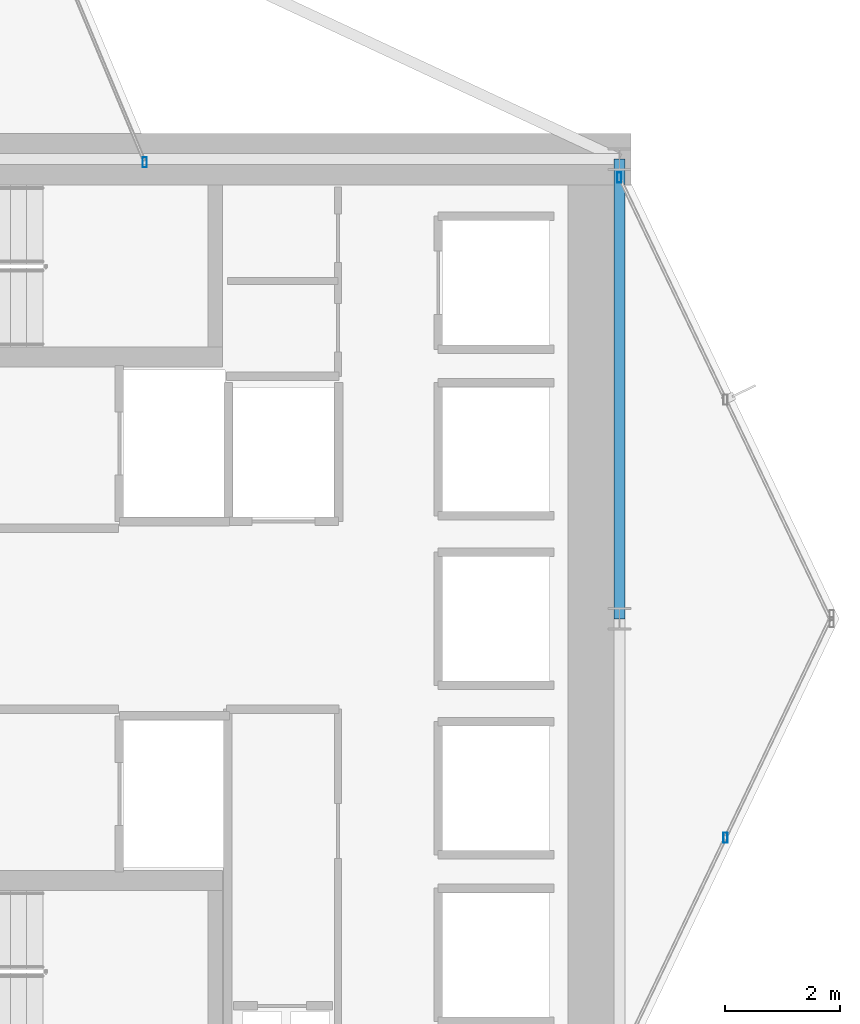
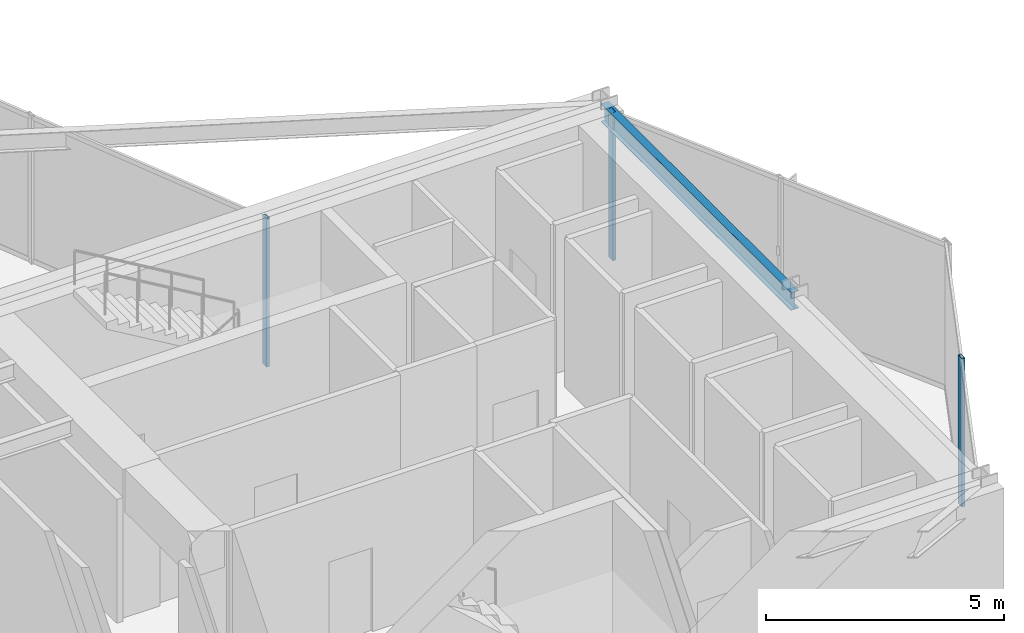
# One storey, part 14 of 25: 3 members, 1 beam, 3 elements without a shape of their own.
"""IFC4 building model written with IfcOpenShell, lengths in metres."""

import ifcopenshell
import ifcopenshell.guid

model = None  # the IFC model being written
_history = None  # IfcOwnerHistory: only IFC2X3 demands one
_inside = {}  # id of a spatial element -> (the spatial element, [elements in it])
_under = {}  # id of a project, library or spatial element -> (it, [spatial elements below it])
_declared = {}  # id of a project -> (the project, [libraries it declares])
_typed = {}  # id of a type object -> (the type object, [elements of that type])
_made_of = {}  # id of a material, layer set ... -> (it, [elements and type objects made of it])


def new_model(schema):
    """Start an empty IFC model of exactly this schema.

    Asked for "IFC4X3", IfcOpenShell would pick the latest addendum, in which some entities
    have other attributes; the version numbers below select the first issue.
    IFC2X3 requires an IfcOwnerHistory on every rooted entity: one is made here for all.
    """
    global model, _history
    if schema == "IFC4X3":
        model = ifcopenshell.file(schema_version=(4, 3, 0, 0))
    else:
        model = ifcopenshell.file(schema=schema)
    _inside.clear()
    _under.clear()
    _declared.clear()
    _typed.clear()
    _made_of.clear()
    _history = None
    if model.schema == "IFC2X3":
        org = make("IfcOrganization", Name="unknown")
        user = make(
            "IfcPersonAndOrganization",
            ThePerson=make("IfcPerson", FamilyName="unknown"),
            TheOrganization=org,
        )
        app = make(
            "IfcApplication",
            ApplicationDeveloper=org,
            Version="unknown",
            ApplicationFullName="unknown",
            ApplicationIdentifier="unknown",
        )
        _history = make(
            "IfcOwnerHistory",
            OwningUser=user,
            OwningApplication=app,
            ChangeAction="ADDED",
            CreationDate=0,
        )
    return model


def make(cls, **values):
    """One entity of the class cls with the attributes given. An attribute that is None is left unset."""
    return model.create_entity(
        cls, **{name: value for name, value in values.items() if value is not None}
    )


def rooted(cls, **values):
    """An entity with a GlobalId (a new one), such as an element, a storey or a relation."""
    return make(cls, GlobalId=ifcopenshell.guid.new(), OwnerHistory=_history, **values)


def si_unit(unit_type, name, prefix=None):
    """IfcSIUnit, for example si_unit("LENGTHUNIT", "METRE", prefix="MILLI")."""
    return make("IfcSIUnit", UnitType=unit_type, Prefix=prefix, Name=name)


def assignment(units):
    """IfcUnitAssignment: the units of a project."""
    return None if units is None else make("IfcUnitAssignment", Units=units)


def point(xyz):
    """IfcCartesianPoint."""
    return None if xyz is None else make("IfcCartesianPoint", Coordinates=xyz)


def direction(xyz):
    """IfcDirection."""
    return None if xyz is None else make("IfcDirection", DirectionRatios=xyz)


def frame(location, z_axis=None, x_axis=None):
    """IfcAxis2Placement3D, a coordinate frame: its origin and axes. An axis left out is left unset."""
    return make(
        "IfcAxis2Placement3D",
        Location=point(location),
        Axis=direction(z_axis),
        RefDirection=direction(x_axis),
    )


def frame_2d(location, x_axis=None):
    """IfcAxis2Placement2D, a coordinate frame in the plane: its origin and x axis."""
    return make(
        "IfcAxis2Placement2D", Location=point(location), RefDirection=direction(x_axis)
    )


def origin():
    """The frame at (0, 0, 0) with its axes left unset."""
    return frame((0.0, 0.0, 0.0))


def origin_2d():
    """The frame at (0, 0) in the plane with its x axis left unset."""
    return frame_2d((0.0, 0.0))


def place(relative_to, where):
    """IfcLocalPlacement: puts the frame where relative to a parent placement (None: the world)."""
    return make(
        "IfcLocalPlacement", PlacementRelTo=relative_to, RelativePlacement=where
    )


def context(
    kind, dimensions, precision=None, world=None, true_north=None, identifier=None
):
    """IfcGeometricRepresentationContext, for example the 3D "Model" context."""
    return make(
        "IfcGeometricRepresentationContext",
        ContextIdentifier=identifier,
        ContextType=kind,
        CoordinateSpaceDimension=dimensions,
        Precision=precision,
        WorldCoordinateSystem=world,
        TrueNorth=true_north,
    )


def subcontext(parent, identifier, kind, view, scale=None):
    """IfcGeometricRepresentationSubContext, for example "Body" below "Model"."""
    return make(
        "IfcGeometricRepresentationSubContext",
        ContextIdentifier=identifier,
        ContextType=kind,
        ParentContext=parent,
        TargetScale=scale,
        TargetView=view,
    )


def project(units=None, contexts=None):
    """IfcProject with its units and contexts."""
    return rooted(
        "IfcProject",
        Name="project",
        RepresentationContexts=contexts,
        UnitsInContext=assignment(units),
    )


def spatial(cls, under=None, at=None, **own):
    """A site, building, storey or space (cls), placed at a placement, below another one or the project."""
    s = rooted(cls, ObjectPlacement=at, **own)
    if under is not None:
        _under.setdefault(under.id(), (under, []))[1].append(s)
    return s


def profile(cls, at=None, kind="AREA", **sizes):
    """A parametric profile (cls). Its sizes go by their IFC names, for example OverallWidth=200.0."""
    return make(cls, ProfileType=kind, Position=at, **sizes)


def hollow_rectangle(**sizes):
    """IfcRectangleHollowProfileDef."""
    return profile("IfcRectangleHollowProfileDef", **sizes)


def i_section(**sizes):
    """IfcIShapeProfileDef."""
    return profile("IfcIShapeProfileDef", **sizes)


def extrude(swept, where, along, depth):
    """IfcExtrudedAreaSolid: the profile swept, set in the frame where, extruded along a direction by depth."""
    return make(
        "IfcExtrudedAreaSolid",
        SweptArea=swept,
        Position=where,
        ExtrudedDirection=direction(along),
        Depth=depth,
    )


def shape(context_of_items, identifier, shape_type, items):
    """IfcShapeRepresentation: the items that make up one representation, for example the "Body"."""
    return make(
        "IfcShapeRepresentation",
        ContextOfItems=context_of_items,
        RepresentationIdentifier=identifier,
        RepresentationType=shape_type,
        Items=items,
    )


def material(Name=None, Category=None):
    """IfcMaterial."""
    return make("IfcMaterial", Name=Name, Category=Category)


def layer(
    of_material, thickness, ventilated=None, Name=None, Category=None, Priority=None
):
    """IfcMaterialLayer: one layer of a wall or slab, of a material (None: an air gap)."""
    return make(
        "IfcMaterialLayer",
        Material=of_material,
        LayerThickness=thickness,
        IsVentilated=ventilated,
        Name=Name,
        Category=Category,
        Priority=Priority,
    )


def layer_set(layers, Name=None):
    """IfcMaterialLayerSet."""
    return make("IfcMaterialLayerSet", MaterialLayers=layers, LayerSetName=Name)


def material_profile(
    of_material, cross_section, Name=None, Category=None, Priority=None
):
    """IfcMaterialProfile: a cross section and its material."""
    return make(
        "IfcMaterialProfile",
        Name=Name,
        Material=of_material,
        Profile=cross_section,
        Priority=Priority,
        Category=Category,
    )


def profile_set(profiles, Name=None, composite=None):
    """IfcMaterialProfileSet."""
    return make(
        "IfcMaterialProfileSet",
        Name=Name,
        MaterialProfiles=profiles,
        CompositeProfile=composite,
    )


def made_of(thing, what):
    """Note that an element or type object is made of a material, layer set ...; save() writes the relation."""
    if what is not None:
        _made_of.setdefault(what.id(), (what, []))[1].append(thing)
    return thing


def type_object(cls, material=None, **own):
    """A type object (cls), such as IfcWallType, which elements share."""
    return made_of(rooted(cls, **own), material)


def element(
    cls,
    number,
    at=None,
    inside=None,
    cuts=None,
    type_object=None,
    material=None,
    context=None,
    identifier="Body",
    shape_type=None,
    held_by="IfcProductDefinitionShape",
    body=None,
    shapes=None,
    **own,
):
    """One element of the class cls, such as IfcWall. Its Tag is "e" and its number.

    at: its placement. inside: the storey or other place that contains it. cuts: it is an
    opening in that element (IfcRelVoidsElement). A single representation is given by context,
    identifier, shape_type and body (its items); several are given by shapes. held_by: the class
    of the entity that holds the representations. save() writes the other relations.
    """
    e = rooted(cls, Tag="e%d" % number, ObjectPlacement=at, **own)
    if body is not None:
        shapes = [shape(context, identifier, shape_type, body)]
    if shapes is not None:
        e.Representation = make(held_by, Representations=shapes)
    if inside is not None:
        _inside.setdefault(inside.id(), (inside, []))[1].append(e)
    if cuts is not None:
        rooted(
            "IfcRelVoidsElement", RelatingBuildingElement=cuts, RelatedOpeningElement=e
        )
    if type_object is not None:
        _typed.setdefault(type_object.id(), (type_object, []))[1].append(e)
    return made_of(e, material)


def aggregate(whole, parts):
    """IfcRelAggregates: a whole, such as a stair, and the parts it consists of."""
    return rooted("IfcRelAggregates", RelatingObject=whole, RelatedObjects=parts)


def save(model, path):
    """Write the relations noted so far, then the file.

    IfcRelAggregates (storeys below a building ...), IfcRelContainedInSpatialStructure (elements
    in a storey), IfcRelDefinesByType, IfcRelAssociatesMaterial and IfcRelDeclares: one each for
    every whole, place, type object, material and project.
    """
    for whole, parts in _under.values():
        aggregate(whole, parts)
    for where, things in _inside.values():
        rooted(
            "IfcRelContainedInSpatialStructure",
            RelatedElements=things,
            RelatingStructure=where,
        )
    for kind, things in _typed.values():
        rooted("IfcRelDefinesByType", RelatedObjects=things, RelatingType=kind)
    for what, things in _made_of.values():
        rooted("IfcRelAssociatesMaterial", RelatedObjects=things, RelatingMaterial=what)
    for by, libraries in _declared.values():
        rooted("IfcRelDeclares", RelatingContext=by, RelatedDefinitions=libraries)
    model.write(path)


model = new_model("IFC4")

# Units and contexts
model_context = context("Model", 3, precision=1e-05, world=origin(), true_north=direction((0.0, 1.0)))
body_context = subcontext(model_context, "Body", "Model", "MODEL_VIEW")
ifc_project = project(units=[si_unit("LENGTHUNIT", "METRE"), si_unit("AREAUNIT", "SQUARE_METRE"), si_unit("VOLUMEUNIT", "CUBIC_METRE"), si_unit("PLANEANGLEUNIT", "RADIAN"), si_unit("MASSUNIT", "GRAM", prefix="KILO")], contexts=[model_context])

# Site, building, storey
site_placement = place(None, origin())
site = spatial("IfcSite", under=ifc_project, at=site_placement, CompositionType="ELEMENT")
building_placement = place(site_placement, origin())
building = spatial("IfcBuilding", under=site, at=building_placement, Name="Veymaron Broadcast Tower", CompositionType="ELEMENT")
storey_placement = place(building_placement, frame((0.0, 0.0, 82.35009765625)))
storey = spatial("IfcBuildingStorey", under=building, at=storey_placement, Name="L18", CompositionType="ELEMENT", Elevation=82.35009765625)

# Beam
ifc_material_1 = material(Name="Structural steel ASTM A992 Gr 50", Category="steel")
ifc_material_profile_1 = material_profile(ifc_material_1, i_section(OverallWidth=0.19091796875, OverallDepth=0.4599609375, WebThickness=0.010009765625, FlangeThickness=0.01611328125, at=origin_2d()), Name="W460X82")
ifc_profile_set_1 = profile_set([ifc_material_profile_1], Name="Structural steel ASTM A992 Gr 50")
beam_type = type_object("IfcBeamType", Name="BM-SP1", PredefinedType="SPANDREL", material=ifc_profile_set_1)
beam_placement = place(storey_placement, frame((54.60009765625, 24.0, 3.579833984375), z_axis=(0.0, 1.0, 0.0), x_axis=(-1.0, 0.0, 0.0)))
element("IfcBeam", 1, at=beam_placement, inside=storey, type_object=beam_type, Name="L18 primary structural floor girder", PredefinedType="SPANDREL", context=body_context, shape_type="SweptSolid", body=[
    extrude(i_section(OverallWidth=0.19091796875, OverallDepth=0.4599609375, WebThickness=0.010009765625, FlangeThickness=0.01611328125, at=origin_2d()), origin(), (0.0, 0.0, 1.0), 8.0),
])

# Curtain wall, member
ifc_material_2 = material(Name="Anodised aluminium AA 6063-T6 and laminated low-E dark glass", Category="aluminium")
ifc_layer = layer(ifc_material_2, 0.179931640625)
ifc_layer_set = layer_set([ifc_layer], Name="Anodised aluminium AA 6063-T6 and laminated low-E dark glass")
curtain_wall_type = type_object("IfcCurtainWallType", Name="CW-SYS-02", PredefinedType="NOTDEFINED", material=ifc_layer_set)
curtain_wall_1_placement = place(storey_placement, origin())
curtain_wall_1 = element("IfcCurtainWall", 2, at=curtain_wall_1_placement, inside=storey, type_object=curtain_wall_type, Name="L18 dark-glass curtain wall CW-L18-E2-1", PredefinedType="NOTDEFINED")
ifc_material_3 = material(Name="Anodised aluminium AA 6063-T6", Category="aluminium")
ifc_material_profile_2 = material_profile(ifc_material_3, hollow_rectangle(XDim=0.074951171875, YDim=0.179931640625, WallThickness=0.0048828125, at=origin_2d()), Name="AL180X75X5")
ifc_profile_set_2 = profile_set([ifc_material_profile_2], Name="Anodised aluminium AA 6063-T6")
member_type = type_object("IfcMemberType", Name="CW-MUL-02", PredefinedType="MULLION", material=ifc_profile_set_2)
member_1_placement = place(storey_placement, frame((56.446044921875, 20.188720703125, 0.0), z_axis=(0.0, 0.0, 1.0), x_axis=(1.0, 0.0, 0.0)))
member_1 = element("IfcMember", 3, at=member_1_placement, type_object=member_type, Name="CW-L18-E2-1 mullion 1", PredefinedType="MULLION", context=body_context, shape_type="SweptSolid", body=[
    extrude(hollow_rectangle(XDim=0.074951171875, YDim=0.179931640625, WallThickness=0.0048828125, at=origin_2d()), origin(), (0.0, 0.0, 1.0), 3.809814453125),
])
aggregate(curtain_wall_1, [member_1])

curtain_wall_2_placement = place(storey_placement, origin())
curtain_wall_2 = element("IfcCurtainWall", 4, at=curtain_wall_2_placement, inside=storey, type_object=curtain_wall_type, Name="L18 dark-glass curtain wall CW-L18-E3-1", PredefinedType="NOTDEFINED")
member_2_placement = place(storey_placement, frame((54.59619140625, 31.68310546875, 0.0), z_axis=(0.0, 0.0, 1.0), x_axis=(1.0, 0.0, 0.0)))
member_2 = element("IfcMember", 5, at=member_2_placement, type_object=member_type, Name="CW-L18-E3-1 mullion 2", PredefinedType="MULLION", context=body_context, shape_type="SweptSolid", body=[
    extrude(hollow_rectangle(XDim=0.074951171875, YDim=0.179931640625, WallThickness=0.0048828125, at=origin_2d()), origin(), (0.0, 0.0, 1.0), 3.809814453125),
])
aggregate(curtain_wall_2, [member_2])

curtain_wall_3_placement = place(storey_placement, origin())
curtain_wall_3 = element("IfcCurtainWall", 6, at=curtain_wall_3_placement, inside=storey, type_object=curtain_wall_type, Name="L18 dark-glass curtain wall CW-L18-E5-1", PredefinedType="NOTDEFINED")
member_3_placement = place(storey_placement, frame((46.336669921875, 31.946044921875, 0.0), z_axis=(0.0, 0.0, 1.0), x_axis=(1.0, 0.0, 0.0)))
member_3 = element("IfcMember", 7, at=member_3_placement, type_object=member_type, Name="CW-L18-E5-1 mullion 0", PredefinedType="MULLION", context=body_context, shape_type="SweptSolid", body=[
    extrude(hollow_rectangle(XDim=0.074951171875, YDim=0.179931640625, WallThickness=0.0048828125, at=origin_2d()), origin(), (0.0, 0.0, 1.0), 3.809814453125),
])
aggregate(curtain_wall_3, [member_3])

save(model, "model.ifc")
